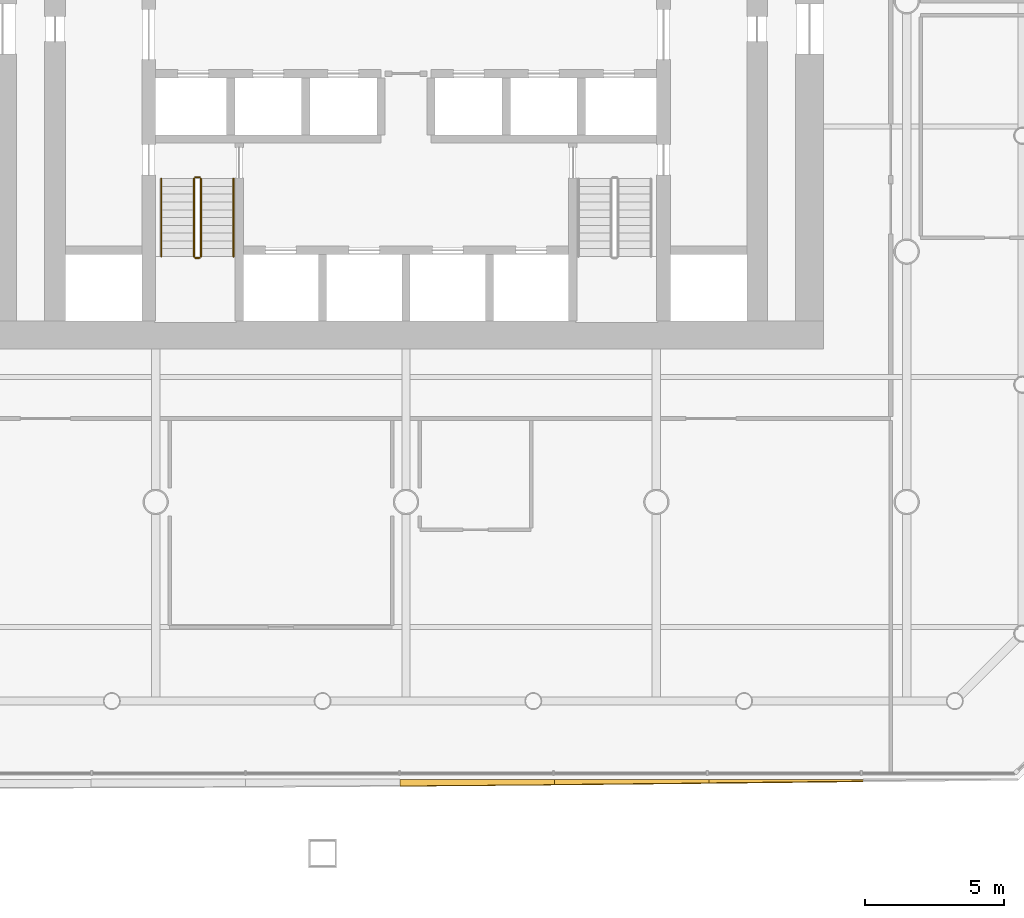
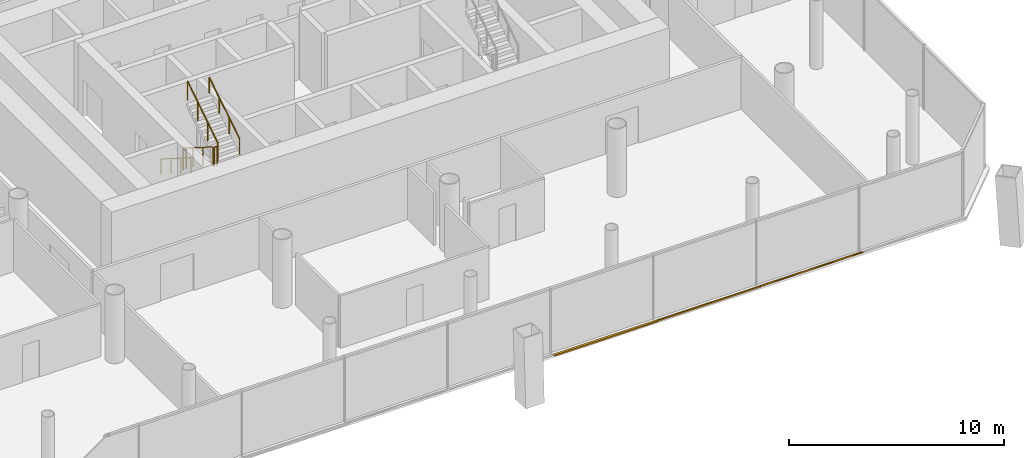
# One storey, part 20 of 23: 6 railings, 3 shading devices.
"""IFC4 building model written with IfcOpenShell, lengths in metres."""

from ifc_helpers import new_model, si_unit, direction, frame, origin, origin_2d, place, context, subcontext, project, spatial, polyline, circle, outline, extrude, material, layer, layer_set, type_object, element, save


model = new_model("IFC4")

# Units and contexts
model_context = context("Model", 3, precision=1e-05, world=origin(), true_north=direction((0.0, 1.0)))
body_context = subcontext(model_context, "Body", "Model", "MODEL_VIEW")
ifc_project = project(units=[si_unit("LENGTHUNIT", "METRE"), si_unit("AREAUNIT", "SQUARE_METRE"), si_unit("VOLUMEUNIT", "CUBIC_METRE"), si_unit("PLANEANGLEUNIT", "RADIAN"), si_unit("MASSUNIT", "GRAM", prefix="KILO")], contexts=[model_context])

# Site, building, storey
site_placement = place(None, origin())
site = spatial("IfcSite", under=ifc_project, at=site_placement, CompositionType="ELEMENT")
building_placement = place(site_placement, origin())
building = spatial("IfcBuilding", under=site, at=building_placement, Name="Tskaro Facet Tower", CompositionType="ELEMENT")
storey_placement = place(building_placement, frame((0.0, 0.0, 14.699951171875)))
storey = spatial("IfcBuildingStorey", under=building, at=storey_placement, Name="L02", CompositionType="ELEMENT", Elevation=14.699951171875)

# Shading devices
ifc_material_1 = material(Name="Bronze anodised aluminium 6063-T6", Category="aluminium")
ifc_layer = layer(ifc_material_1, 0.06005859375, Name="Bronze anodised aluminium 6063-T6")
ifc_layer_set = layer_set([ifc_layer], Name="Bronze anodised aluminium 6063-T6")
shading_device_type = type_object("IfcShadingDeviceType", Name="Bronze sun blade (FN1)", PredefinedType="USERDEFINED", material=ifc_layer_set)
shading_device_1_placement = place(storey_placement, frame((-0.22216796875, -27.9794921875, 0.056396484375), z_axis=(1.5632895e-05, 0.342082276064, 0.939670003862), x_axis=(0.999999999878, -5.347736e-06, -1.4689763e-05)))
element("IfcShadingDevice", 1, at=shading_device_1_placement, inside=storey, type_object=shading_device_type, Name="Fin blade south 6", ObjectType="FIN", PredefinedType="USERDEFINED", context=body_context, shape_type="SweptSolid", body=[
    extrude(outline(polyline([(0.0, 0.0), (5.555419921196163, -4.705623709661036e-21), (5.5554199222926846, -0.19431629445205795), (4.861083982959442, -0.20111615843263952), (4.166503906587597, -0.2078325062325311), (3.472167969535122, -0.21431944241035802), (2.7778320324826478, -0.22080637858818494), (2.0832519534996026, -0.22706390314394717), (1.388916013835929, -0.2330920160776447), (0.6943359358280529, -0.23880720120858762), (-1.55485305622958e-09, -0.2445223863395305), (0.0, 0.0)])), origin(), (0.0, 0.0, -1.0), 0.06005859375),
])
shading_device_2_placement = place(storey_placement, frame((5.333251953125, -27.974609375, 0.054443359375), z_axis=(8.920651e-06, 0.422290730488, 0.906460445284), x_axis=(0.99999999996, -3.767108e-06, -8.086217e-06)))
element("IfcShadingDevice", 2, at=shading_device_2_placement, inside=storey, type_object=shading_device_type, Name="Fin blade south 7", ObjectType="FIN", PredefinedType="USERDEFINED", context=body_context, shape_type="SweptSolid", body=[
    extrude(outline(polyline([(0.0, 0.0), (5.555664062278946, -2.3529152524070872e-21), (5.555664061855261, -0.13980647653887662), (4.861083984630288, -0.14811027146856093), (4.1667480461908974, -0.15597145875892887), (3.4724121086712123, -0.164053949868955), (2.7778320315810054, -0.17181203883644577), (2.083496094196085, -0.17934882398427834), (1.3889160161861742, -0.18688560913211094), (0.6945800778815496, -0.19420109046028533), (-1.0480653596330847e-09, -0.20151657178845972), (0.0, 0.0)])), origin(), (0.0, 0.0, -1.0), 0.06005859375),
])
shading_device_3_placement = place(storey_placement, frame((10.888916015625, -27.969970703125, 0.052001953125), z_axis=(7.240136e-06, 0.499742261052, 0.866174158277), x_axis=(0.999999999974, -3.618202e-06, -6.271219e-06)))
element("IfcShadingDevice", 3, at=shading_device_3_placement, inside=storey, type_object=shading_device_type, Name="Fin blade south 8", ObjectType="FIN", PredefinedType="USERDEFINED", context=body_context, shape_type="SweptSolid", body=[
    extrude(outline(polyline([(0.0, 0.0), (5.555419921729394, 0.0), (5.55541992091739, -0.07503970564249154), (4.861083985027075, -0.0842142925377673), (4.1667480467223506, -0.09329941852063235), (3.472167967792631, -0.1023845445034974), (2.7778320310189657, -0.1113476630984071), (2.0832519536203065, -0.12031078169331681), (1.388916015963291, -0.12906243198786047), (0.6943359376812818, -0.1378140822824041), (-8.590838998111777e-10, -0.14635426427658174), (0.0, 0.0)])), origin(), (0.0, 0.0, -1.0), 0.06005859375),
])

# Railings
ifc_material_2 = material(Name="Stainless steel", Category="steel")
railing_type_1 = type_object("IfcRailingType", Name="RL-GUARD-1100", PredefinedType="GUARDRAIL", material=ifc_material_2)
railing_1_placement = place(storey_placement, frame((-7.625, -6.375, 0.17724609375)))
element("IfcRailing", 4, at=railing_1_placement, inside=storey, type_object=railing_type_1, Name="L02 ST-1 stair guard 1", PredefinedType="GUARDRAIL", context=body_context, shape_type="SweptSolid", body=[
    extrude(circle(Radius=0.02392578125, at=origin_2d()), frame((0.0, 0.0, 1.076171875), z_axis=(0.0, -0.844908973607, 0.534910110503), x_axis=(1.0, 0.0, 0.0)), (0.0, 0.0, 1.0), 3.31396484375),
    extrude(circle(Radius=0.02099609375, at=origin_2d()), origin(), (0.0, 0.0, 1.0), 1.052001953125),
    extrude(circle(Radius=0.02099609375, at=origin_2d()), frame((0.0, -0.933349609375, 0.5908203125)), (0.0, 0.0, 1.0), 1.052001953125),
    extrude(circle(Radius=0.02099609375, at=origin_2d()), frame((0.0, -1.86669921875, 1.181884765625)), (0.0, 0.0, 1.0), 1.052001953125),
    extrude(circle(Radius=0.02099609375, at=origin_2d()), frame((0.0, -2.800048828125, 1.772705078125)), (0.0, 0.0, 1.0), 1.052001953125),
])
railing_2_placement = place(storey_placement, frame((-7.574951171875, -9.22509765625, 1.949951171875)))
element("IfcRailing", 5, at=railing_2_placement, inside=storey, type_object=railing_type_1, Name="L02 ST-1 stair guard 2", PredefinedType="GUARDRAIL", context=body_context, shape_type="SweptSolid", body=[
    extrude(circle(Radius=0.02392578125, at=origin_2d()), frame((0.0, 0.0, 1.076171875), z_axis=(1.0, 0.0, 0.0), x_axis=(0.0, 1.0, 0.0)), (0.0, 0.0, 1.0), 0.14990234375),
    extrude(circle(Radius=0.02099609375, at=origin_2d()), origin(), (0.0, 0.0, 1.0), 1.052001953125),
    extrude(circle(Radius=0.02099609375, at=origin_2d()), frame((0.14990234375, 0.0, 0.0)), (0.0, 0.0, 1.0), 1.052001953125),
])
railing_3_placement = place(storey_placement, frame((-7.375, -9.175048828125, 2.12744140625)))
element("IfcRailing", 6, at=railing_3_placement, inside=storey, type_object=railing_type_1, Name="L02 ST-1 stair guard 3", PredefinedType="GUARDRAIL", context=body_context, shape_type="SweptSolid", body=[
    extrude(circle(Radius=0.02392578125, at=origin_2d()), frame((0.0, 0.0, 1.076171875), z_axis=(0.0, 0.844908973607, 0.534910110503), x_axis=(-1.0, 0.0, 0.0)), (0.0, 0.0, 1.0), 3.31396484375),
    extrude(circle(Radius=0.02099609375, at=origin_2d()), origin(), (0.0, 0.0, 1.0), 1.052001953125),
    extrude(circle(Radius=0.02099609375, at=origin_2d()), frame((0.0, 0.933349609375, 0.5908203125)), (0.0, 0.0, 1.0), 1.052001953125),
    extrude(circle(Radius=0.02099609375, at=origin_2d()), frame((0.0, 1.86669921875, 1.181884765625)), (0.0, 0.0, 1.0), 1.052001953125),
    extrude(circle(Radius=0.02099609375, at=origin_2d()), frame((0.0, 2.800048828125, 1.772705078125)), (0.0, 0.0, 1.0), 1.052001953125),
])
railing_4_placement = place(storey_placement, frame((-7.574951171875, -6.324951171875, 0.0)))
element("IfcRailing", 7, at=railing_4_placement, inside=storey, type_object=railing_type_1, Name="L02 ST-1 stair guard 4", PredefinedType="GUARDRAIL", context=body_context, shape_type="SweptSolid", body=[
    extrude(circle(Radius=0.02392578125, at=origin_2d()), frame((0.0, 0.0, 1.076171875), z_axis=(1.0, 0.0, 0.0), x_axis=(0.0, 1.0, 0.0)), (0.0, 0.0, 1.0), 0.14990234375),
    extrude(circle(Radius=0.02099609375, at=origin_2d()), origin(), (0.0, 0.0, 1.0), 1.052001953125),
    extrude(circle(Radius=0.02099609375, at=origin_2d()), frame((0.14990234375, 0.0, 0.0)), (0.0, 0.0, 1.0), 1.052001953125),
])
railing_type_2 = type_object("IfcRailingType", Name="RL-HANDRAIL-900", PredefinedType="HANDRAIL", material=ifc_material_2)
railing_5_placement = place(storey_placement, frame((-8.800048828125, -6.375, 0.17724609375)))
element("IfcRailing", 8, at=railing_5_placement, inside=storey, type_object=railing_type_2, Name="L02 ST-1 stair handrail 1", PredefinedType="HANDRAIL", context=body_context, shape_type="SweptSolid", body=[
    extrude(circle(Radius=0.02392578125, at=origin_2d()), frame((0.0, 0.0, 0.8759765625), z_axis=(0.0, -0.844908973607, 0.534910110503), x_axis=(1.0, 0.0, 0.0)), (0.0, 0.0, 1.0), 3.31396484375),
    extrude(circle(Radius=0.02099609375, at=origin_2d()), origin(), (0.0, 0.0, 1.0), 0.851806640625),
    extrude(circle(Radius=0.02099609375, at=origin_2d()), frame((0.0, -0.933349609375, 0.5908203125)), (0.0, 0.0, 1.0), 0.851806640625),
    extrude(circle(Radius=0.02099609375, at=origin_2d()), frame((0.0, -1.86669921875, 1.181884765625)), (0.0, 0.0, 1.0), 0.851806640625),
    extrude(circle(Radius=0.02099609375, at=origin_2d()), frame((0.0, -2.800048828125, 1.772705078125)), (0.0, 0.0, 1.0), 0.851806640625),
])
railing_6_placement = place(storey_placement, frame((-6.199951171875, -9.175048828125, 2.12744140625)))
element("IfcRailing", 9, at=railing_6_placement, inside=storey, type_object=railing_type_2, Name="L02 ST-1 stair handrail 2", PredefinedType="HANDRAIL", context=body_context, shape_type="SweptSolid", body=[
    extrude(circle(Radius=0.02392578125, at=origin_2d()), frame((0.0, 0.0, 0.8759765625), z_axis=(0.0, 0.844908973607, 0.534910110503), x_axis=(-1.0, 0.0, 0.0)), (0.0, 0.0, 1.0), 3.31396484375),
    extrude(circle(Radius=0.02099609375, at=origin_2d()), origin(), (0.0, 0.0, 1.0), 0.851806640625),
    extrude(circle(Radius=0.02099609375, at=origin_2d()), frame((0.0, 0.933349609375, 0.5908203125)), (0.0, 0.0, 1.0), 0.851806640625),
    extrude(circle(Radius=0.02099609375, at=origin_2d()), frame((0.0, 1.86669921875, 1.181884765625)), (0.0, 0.0, 1.0), 0.851806640625),
    extrude(circle(Radius=0.02099609375, at=origin_2d()), frame((0.0, 2.800048828125, 1.772705078125)), (0.0, 0.0, 1.0), 0.851806640625),
])

save(model, "model.ifc")
